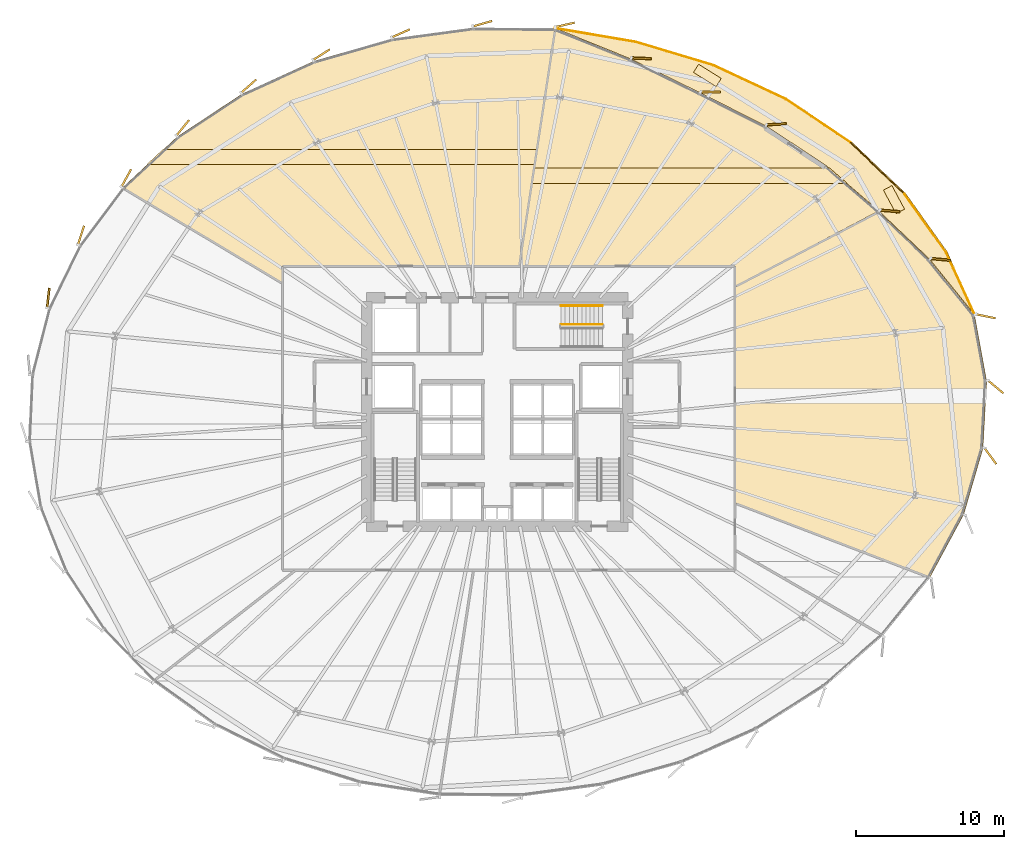
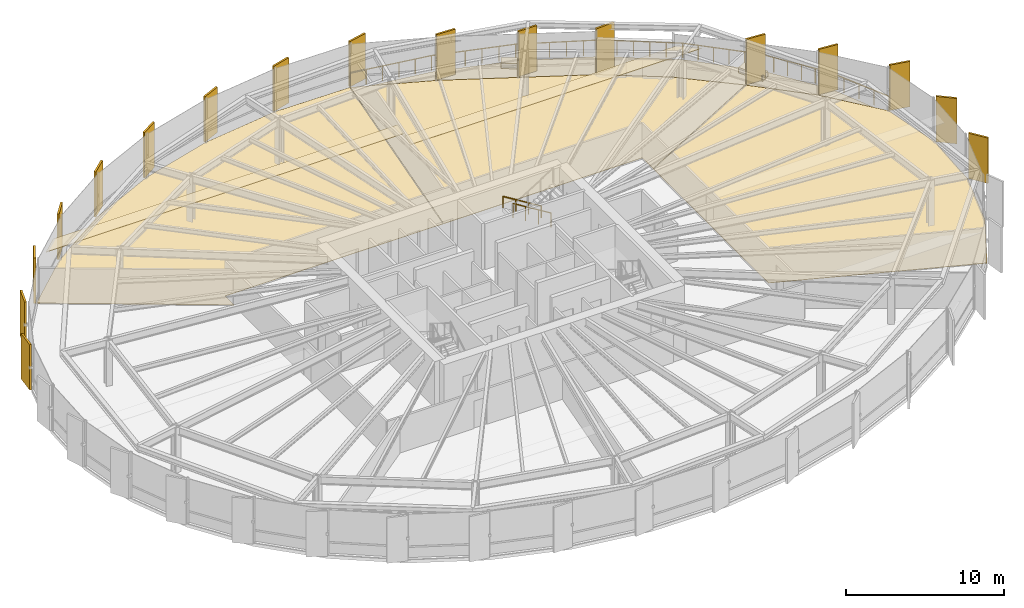
# One storey, part 39 of 39: 25 coverings, 9 railings.
"""IFC4 building model written with IfcOpenShell, lengths in metres."""

from ifc_helpers import new_model, si_unit, direction, frame, origin, origin_2d, place, context, subcontext, project, spatial, polyline, rectangle, circle, outline, extrude, source, transform, mapped, material, layer, layer_set, type_object, element, save


model = new_model("IFC4")

# Units and contexts
model_context = context("Model", 3, precision=1e-05, world=origin(), true_north=direction((0.0, 1.0)))
body_context = subcontext(model_context, "Body", "Model", "MODEL_VIEW")
ifc_project = project(units=[si_unit("LENGTHUNIT", "METRE"), si_unit("AREAUNIT", "SQUARE_METRE"), si_unit("VOLUMEUNIT", "CUBIC_METRE"), si_unit("PLANEANGLEUNIT", "RADIAN"), si_unit("MASSUNIT", "GRAM", prefix="KILO"), si_unit("THERMODYNAMICTEMPERATUREUNIT", "KELVIN")], contexts=[model_context])

# Site, building, storey
site_placement = place(None, origin())
site = spatial("IfcSite", under=ifc_project, at=site_placement, CompositionType="ELEMENT")
building_placement = place(site_placement, origin())
building = spatial("IfcBuilding", under=site, at=building_placement, Name="Kethvar Cultural Tower", CompositionType="ELEMENT")
storey_placement = place(building_placement, frame((0.0, 0.0, 44.800048828125)))
storey = spatial("IfcBuildingStorey", under=building, at=storey_placement, Name="L10", CompositionType="ELEMENT", Elevation=44.800048828125)

# Coverings
ifc_material_1 = material(Name="Acoustic Mineral Fibre Ceiling")
ifc_layer_1 = layer(ifc_material_1, 0.0400390625, Name="Acoustic Mineral Fibre Ceiling")
ifc_layer_set_1 = layer_set([ifc_layer_1], Name="Acoustic Mineral Fibre Ceiling (40 mm)")
covering_type_1 = type_object("IfcCoveringType", Name="CV-ACOUSTIC-CEIL", PredefinedType="CEILING", material=ifc_layer_set_1)
covering_1_placement = place(storey_placement, frame((0.0, 0.0, 2.449951171875)))
element("IfcCovering", 1, at=covering_1_placement, inside=storey, type_object=covering_type_1, Name="L10 Room 05 Acoustic Ceiling Panel", PredefinedType="CEILING", context=body_context, shape_type="SweptSolid", body=[
    extrude(outline(polyline([(70.408935546875, 43.20263671875), (49.102783203125, 43.20263671875), (49.258056640625, 44.232666015625), (69.213623046875, 44.232666015625), (70.408935546875, 43.20263671875)])), origin(), (0.0, 0.0, 1.0), 0.0400390625),
])
covering_2_placement = place(storey_placement, frame((0.0, 0.0, 2.449951171875)))
element("IfcCovering", 2, at=covering_2_placement, inside=storey, type_object=covering_type_1, Name="L10 Room 06 Acoustic Ceiling Panel", PredefinedType="CEILING", context=body_context, shape_type="SweptSolid", body=[
    extrude(outline(polyline([(49.335205078125, 44.476318359375), (23.1650390625, 44.476318359375), (24.271728515625, 45.506103515625), (49.490478515625, 45.506103515625), (49.335205078125, 44.476318359375)])), origin(), (0.0, 0.0, 1.0), 0.0400390625),
])
ifc_material_2 = material(Name="Insulated Waterproofing Membrane")
ifc_layer_2 = layer(ifc_material_2, 0.06005859375, Name="Insulated Waterproofing Membrane")
ifc_layer_set_2 = layer_set([ifc_layer_2], Name="Insulated Waterproofing Membrane (60 mm)")
covering_type_2 = type_object("IfcCoveringType", Name="CV-ROOF-MEMB", PredefinedType="ROOFING", material=ifc_layer_set_2)
covering_3_placement = place(storey_placement, frame((0.0, 0.0, -0.275146484375)))
element("IfcCovering", 3, at=covering_3_placement, inside=storey, type_object=covering_type_2, Name="L10 Terrace Waterproofing", PredefinedType="ROOFING", context=body_context, shape_type="SweptSolid", body=[
    extrude(outline(polyline([(78.9921875, 34.343017578125), (77.142822265625, 38.607177734375), (74.335693359375, 42.54052734375), (70.684814453125, 46.025634765625), (66.3330078125, 48.95849609375), (61.4404296875, 51.251708984375), (56.175048828125, 52.837158203125), (50.701171875, 53.66650390625), (55.81005859375, 51.59716796875), (60.47900390625, 49.315185546875), (64.9384765625, 47.06689453125), (68.983154296875, 44.405029296875), (72.534912109375, 41.343994140625), (75.95849609375, 38.089599609375), (78.9921875, 34.343017578125)])), origin(), (0.0, 0.0, 1.0), 0.06005859375),
])
ifc_material_3 = material(Name="Honed Warm Limestone", Category="masonry")
ifc_layer_3 = layer(ifc_material_3, 0.030029296875, Name="Honed Warm Limestone", Category="masonry")
ifc_layer_set_3 = layer_set([ifc_layer_3], Name="Honed Warm Limestone (30 mm)")
covering_type_3 = type_object("IfcCoveringType", Name="CV-STONE-FLOOR", PredefinedType="FLOORING", material=ifc_layer_set_3)
covering_4_placement = place(storey_placement, origin())
element("IfcCovering", 4, at=covering_4_placement, inside=storey, type_object=covering_type_3, Name="L10 Room 04 Floor Finish", PredefinedType="FLOORING", context=body_context, shape_type="SweptSolid", body=[
    extrude(outline(polyline([(78.239501953125, 20.888671875), (75.956787109375, 16.65185546875), (62.85009765625, 21.6728515625), (62.85009765625, 36.224365234375), (72.531494140625, 41.319580078125), (75.943603515625, 38.075927734375), (78.973388671875, 34.33447265625), (79.787841796875, 29.87548828125), (79.53857421875, 25.3466796875), (78.239501953125, 20.888671875)])), origin(), (0.0, 0.0, 1.0), 0.030029296875),
])
covering_5_placement = place(storey_placement, origin())
element("IfcCovering", 5, at=covering_5_placement, inside=storey, type_object=covering_type_3, Name="L10 Room 05 Floor Finish", PredefinedType="FLOORING", context=body_context, shape_type="SweptSolid", body=[
    extrude(outline(polyline([(55.802001953125, 51.578857421875), (64.928466796875, 47.0498046875), (68.970947265625, 44.388916015625), (72.49951171875, 41.34814453125), (62.85009765625, 36.26953125), (62.83203125, 37.639892578125), (48.30419921875, 37.639892578125), (50.717041015625, 53.63818359375), (55.802001953125, 51.578857421875)])), origin(), (0.0, 0.0, 1.0), 0.030029296875),
])
covering_6_placement = place(storey_placement, origin())
element("IfcCovering", 6, at=covering_6_placement, inside=storey, type_object=covering_type_3, Name="L10 Room 06 Floor Finish", PredefinedType="FLOORING", context=body_context, shape_type="SweptSolid", body=[
    extrude(outline(polyline([(25.244384765625, 46.35693359375), (29.59228515625, 49.22998046875), (34.46337890625, 51.451904296875), (39.70947265625, 52.955078125), (45.1708984375, 53.693603515625), (50.677978515625, 53.646484375), (48.263916015625, 37.639892578125), (32.327880859375, 37.639892578125), (32.31005859375, 36.50341796875), (21.56982421875, 42.93701171875), (25.244384765625, 46.35693359375)])), origin(), (0.0, 0.0, 1.0), 0.030029296875),
])

# Railings
ifc_material_4 = material(Name="Steel S355J2", Category="steel")
railing_type_1 = type_object("IfcRailingType", Name="RL-EXT-GUARD-1150", PredefinedType="BALUSTRADE", material=ifc_material_4)
railing_1_placement = place(storey_placement, frame((78.9921875, 34.343017578125, 0.0)))
element("IfcRailing", 7, at=railing_1_placement, inside=storey, type_object=railing_type_1, Name="L10 Spiralling Terrace Balustrade 01", PredefinedType="BALUSTRADE", context=body_context, shape_type="SweptSolid", body=[
    extrude(circle(Radius=0.02392578125, at=origin_2d()), frame((0.0, 0.0, 1.1259765625), z_axis=(-0.417477936448, 0.908687059762, 0.0), x_axis=(-0.908687059762, -0.417477936448, 0.0)), (0.0, 0.0, 1.0), 4.655517578125),
    extrude(circle(Radius=0.02099609375, at=origin_2d()), origin(), (0.0, 0.0, 1.0), 1.101806640625),
    extrude(circle(Radius=0.02099609375, at=origin_2d()), frame((-0.48583984375, 1.0576171875, 0.0)), (0.0, 0.0, 1.0), 1.101806640625),
    extrude(circle(Radius=0.02099609375, at=origin_2d()), frame((-0.9716796875, 2.115234375, 0.0)), (0.0, 0.0, 1.0), 1.101806640625),
    extrude(circle(Radius=0.02099609375, at=origin_2d()), frame((-1.457763671875, 3.1728515625, 0.0)), (0.0, 0.0, 1.0), 1.101806640625),
    extrude(circle(Radius=0.02099609375, at=origin_2d()), frame((-1.943603515625, 4.23046875, 0.0)), (0.0, 0.0, 1.0), 1.101806640625),
])
railing_2_placement = place(storey_placement, frame((77.048583984375, 38.573486328125, 0.0)))
element("IfcRailing", 8, at=railing_2_placement, inside=storey, type_object=railing_type_1, Name="L10 Spiralling Terrace Balustrade 02", PredefinedType="BALUSTRADE", context=body_context, shape_type="SweptSolid", body=[
    extrude(circle(Radius=0.02392578125, at=origin_2d()), frame((0.0, 0.0, 1.1259765625), z_axis=(-0.581386783126, 0.813627315425, 0.0), x_axis=(-0.813627315425, -0.581386783126, 0.0)), (0.0, 0.0, 1.0), 4.81787109375),
    extrude(circle(Radius=0.02099609375, at=origin_2d()), origin(), (0.0, 0.0, 1.0), 1.101806640625),
    extrude(circle(Radius=0.02099609375, at=origin_2d()), frame((-0.560302734375, 0.783935546875, 0.0)), (0.0, 0.0, 1.0), 1.101806640625),
    extrude(circle(Radius=0.02099609375, at=origin_2d()), frame((-1.120361328125, 1.56787109375, 0.0)), (0.0, 0.0, 1.0), 1.101806640625),
    extrude(circle(Radius=0.02099609375, at=origin_2d()), frame((-1.6806640625, 2.35205078125, 0.0)), (0.0, 0.0, 1.0), 1.101806640625),
    extrude(circle(Radius=0.02099609375, at=origin_2d()), frame((-2.24072265625, 3.135986328125, 0.0)), (0.0, 0.0, 1.0), 1.101806640625),
    extrude(circle(Radius=0.02099609375, at=origin_2d()), frame((-2.801025390625, 3.919921875, 0.0)), (0.0, 0.0, 1.0), 1.101806640625),
])
railing_3_placement = place(storey_placement, frame((74.24755859375, 42.493408203125, 0.0)))
element("IfcRailing", 9, at=railing_3_placement, inside=storey, type_object=railing_type_1, Name="L10 Spiralling Terrace Balustrade 03", PredefinedType="BALUSTRADE", context=body_context, shape_type="SweptSolid", body=[
    extrude(circle(Radius=0.02392578125, at=origin_2d()), frame((0.0, 0.0, 1.1259765625), z_axis=(-0.723862084016, 0.689944695845, 0.0), x_axis=(-0.689944695845, -0.723862084016, 0.0)), (0.0, 0.0, 1.0), 5.031494140625),
    extrude(circle(Radius=0.02099609375, at=origin_2d()), origin(), (0.0, 0.0, 1.0), 1.101806640625),
    extrude(circle(Radius=0.02099609375, at=origin_2d()), frame((-0.728515625, 0.6943359375, 0.0)), (0.0, 0.0, 1.0), 1.101806640625),
    extrude(circle(Radius=0.02099609375, at=origin_2d()), frame((-1.456787109375, 1.388671875, 0.0)), (0.0, 0.0, 1.0), 1.101806640625),
    extrude(circle(Radius=0.02099609375, at=origin_2d()), frame((-2.185302734375, 2.082763671875, 0.0)), (0.0, 0.0, 1.0), 1.101806640625),
    extrude(circle(Radius=0.02099609375, at=origin_2d()), frame((-2.91357421875, 2.777099609375, 0.0)), (0.0, 0.0, 1.0), 1.101806640625),
    extrude(circle(Radius=0.02099609375, at=origin_2d()), frame((-3.64208984375, 3.471435546875, 0.0)), (0.0, 0.0, 1.0), 1.101806640625),
])
railing_4_placement = place(storey_placement, frame((70.60546875, 45.96484375, 0.0)))
element("IfcRailing", 10, at=railing_4_placement, inside=storey, type_object=railing_type_1, Name="L10 Spiralling Terrace Balustrade 04", PredefinedType="BALUSTRADE", context=body_context, shape_type="SweptSolid", body=[
    extrude(circle(Radius=0.02392578125, at=origin_2d()), frame((0.0, 0.0, 1.1259765625), z_axis=(-0.829694993177, 0.558216999291, 0.0), x_axis=(-0.558216999291, -0.829694993177, 0.0)), (0.0, 0.0, 1.0), 5.231201171875),
    extrude(circle(Radius=0.02099609375, at=origin_2d()), origin(), (0.0, 0.0, 1.0), 1.101806640625),
    extrude(circle(Radius=0.02099609375, at=origin_2d()), frame((-0.8681640625, 0.583984375, 0.0)), (0.0, 0.0, 1.0), 1.101806640625),
    extrude(circle(Radius=0.02099609375, at=origin_2d()), frame((-1.736083984375, 1.16796875, 0.0)), (0.0, 0.0, 1.0), 1.101806640625),
    extrude(circle(Radius=0.02099609375, at=origin_2d()), frame((-2.604248046875, 1.752197265625, 0.0)), (0.0, 0.0, 1.0), 1.101806640625),
    extrude(circle(Radius=0.02099609375, at=origin_2d()), frame((-3.47216796875, 2.336181640625, 0.0)), (0.0, 0.0, 1.0), 1.101806640625),
    extrude(circle(Radius=0.02099609375, at=origin_2d()), frame((-4.34033203125, 2.920166015625, 0.0)), (0.0, 0.0, 1.0), 1.101806640625),
])
railing_5_placement = place(storey_placement, frame((66.26513671875, 48.885009765625, 0.0)))
element("IfcRailing", 11, at=railing_5_placement, inside=storey, type_object=railing_type_1, Name="L10 Spiralling Terrace Balustrade 05", PredefinedType="BALUSTRADE", context=body_context, shape_type="SweptSolid", body=[
    extrude(circle(Radius=0.02392578125, at=origin_2d()), frame((0.0, 0.0, 1.1259765625), z_axis=(-0.905775022601, 0.423758903661, 0.0), x_axis=(-0.423758903661, -0.905775022601, 0.0)), (0.0, 0.0, 1.0), 5.385009765625),
    extrude(circle(Radius=0.02099609375, at=origin_2d()), origin(), (0.0, 0.0, 1.0), 1.101806640625),
    extrude(circle(Radius=0.02099609375, at=origin_2d()), frame((-0.9755859375, 0.456298828125, 0.0)), (0.0, 0.0, 1.0), 1.101806640625),
    extrude(circle(Radius=0.02099609375, at=origin_2d()), frame((-1.951171875, 0.912841796875, 0.0)), (0.0, 0.0, 1.0), 1.101806640625),
    extrude(circle(Radius=0.02099609375, at=origin_2d()), frame((-2.926513671875, 1.369140625, 0.0)), (0.0, 0.0, 1.0), 1.101806640625),
    extrude(circle(Radius=0.02099609375, at=origin_2d()), frame((-3.902099609375, 1.82568359375, 0.0)), (0.0, 0.0, 1.0), 1.101806640625),
    extrude(circle(Radius=0.02099609375, at=origin_2d()), frame((-4.877685546875, 2.281982421875, 0.0)), (0.0, 0.0, 1.0), 1.101806640625),
])
railing_6_placement = place(storey_placement, frame((61.387451171875, 51.1669921875, 0.0)))
element("IfcRailing", 12, at=railing_6_placement, inside=storey, type_object=railing_type_1, Name="L10 Spiralling Terrace Balustrade 06", PredefinedType="BALUSTRADE", context=body_context, shape_type="SweptSolid", body=[
    extrude(circle(Radius=0.02392578125, at=origin_2d()), frame((0.0, 0.0, 1.1259765625), z_axis=(-0.957718298655, 0.287707595348, 0.0), x_axis=(-0.287707595348, -0.957718298655, 0.0)), (0.0, 0.0, 1.0), 5.479248046875),
    extrude(circle(Radius=0.02099609375, at=origin_2d()), origin(), (0.0, 0.0, 1.0), 1.101806640625),
    extrude(circle(Radius=0.02099609375, at=origin_2d()), frame((-1.049560546875, 0.315185546875, 0.0)), (0.0, 0.0, 1.0), 1.101806640625),
    extrude(circle(Radius=0.02099609375, at=origin_2d()), frame((-2.09912109375, 0.630615234375, 0.0)), (0.0, 0.0, 1.0), 1.101806640625),
    extrude(circle(Radius=0.02099609375, at=origin_2d()), frame((-3.1484375, 0.94580078125, 0.0)), (0.0, 0.0, 1.0), 1.101806640625),
    extrude(circle(Radius=0.02099609375, at=origin_2d()), frame((-4.197998046875, 1.26123046875, 0.0)), (0.0, 0.0, 1.0), 1.101806640625),
    extrude(circle(Radius=0.02099609375, at=origin_2d()), frame((-5.24755859375, 1.576416015625, 0.0)), (0.0, 0.0, 1.0), 1.101806640625),
])
railing_7_placement = place(storey_placement, frame((56.139892578125, 52.743408203125, 0.0)))
element("IfcRailing", 13, at=railing_7_placement, inside=storey, type_object=railing_type_1, Name="L10 Spiralling Terrace Balustrade 07", PredefinedType="BALUSTRADE", context=body_context, shape_type="SweptSolid", body=[
    extrude(circle(Radius=0.02392578125, at=origin_2d()), frame((0.0, 0.0, 1.1259765625), z_axis=(-0.985900343577, 0.16733353679, 0.0), x_axis=(-0.16733353679, -0.985900343577, 0.0)), (0.0, 0.0, 1.0), 5.5166015625),
    extrude(circle(Radius=0.02099609375, at=origin_2d()), origin(), (0.0, 0.0, 1.0), 1.101806640625),
    extrude(circle(Radius=0.02099609375, at=origin_2d()), frame((-1.087646484375, 0.1845703125, 0.0)), (0.0, 0.0, 1.0), 1.101806640625),
    extrude(circle(Radius=0.02099609375, at=origin_2d()), frame((-2.175537109375, 0.369140625, 0.0)), (0.0, 0.0, 1.0), 1.101806640625),
    extrude(circle(Radius=0.02099609375, at=origin_2d()), frame((-3.26318359375, 0.553955078125, 0.0)), (0.0, 0.0, 1.0), 1.101806640625),
    extrude(circle(Radius=0.02099609375, at=origin_2d()), frame((-4.35107421875, 0.738525390625, 0.0)), (0.0, 0.0, 1.0), 1.101806640625),
    extrude(circle(Radius=0.02099609375, at=origin_2d()), frame((-5.438720703125, 0.923095703125, 0.0)), (0.0, 0.0, 1.0), 1.101806640625),
])
railing_type_2 = type_object("IfcRailingType", Name="RL-STAIR-GUARD", PredefinedType="BALUSTRADE", material=ifc_material_4)
railing_8_placement = place(storey_placement, frame((53.89990234375, 33.7099609375, 0.172607421875)))
element("IfcRailing", 14, at=railing_8_placement, inside=storey, type_object=railing_type_2, Name="L10 ST-03 stair guard 1", PredefinedType="BALUSTRADE", context=body_context, shape_type="SweptSolid", body=[
    extrude(circle(Radius=0.02392578125, at=origin_2d()), frame((0.0, 0.0, 1.09619140625), z_axis=(-0.851069175582, 0.0, 0.525053576669), x_axis=(0.0, -1.0, 0.0)), (0.0, 0.0, 1.0), 3.289794921875),
    extrude(circle(Radius=0.02099609375, at=origin_2d()), origin(), (0.0, 0.0, 1.0), 1.072021484375),
    extrude(circle(Radius=0.02099609375, at=origin_2d()), frame((-0.933349609375, 0.0, 0.57568359375)), (0.0, 0.0, 1.0), 1.072021484375),
    extrude(circle(Radius=0.02099609375, at=origin_2d()), frame((-1.866455078125, 0.0, 1.151611328125)), (0.0, 0.0, 1.0), 1.072021484375),
    extrude(circle(Radius=0.02099609375, at=origin_2d()), frame((-2.7998046875, 0.0, 1.727294921875)), (0.0, 0.0, 1.0), 1.072021484375),
])
railing_type_3 = type_object("IfcRailingType", Name="RL-STAIR-HANDRAIL", PredefinedType="HANDRAIL", material=ifc_material_4)
railing_9_placement = place(storey_placement, frame((53.89990234375, 34.9599609375, 0.172607421875)))
element("IfcRailing", 15, at=railing_9_placement, inside=storey, type_object=railing_type_3, Name="L10 ST-03 stair handrail 1", PredefinedType="HANDRAIL", context=body_context, shape_type="SweptSolid", body=[
    extrude(circle(Radius=0.02392578125, at=origin_2d()), frame((0.0, 0.0, 0.8759765625), z_axis=(-0.851069175582, 0.0, 0.525053576669), x_axis=(0.0, -1.0, 0.0)), (0.0, 0.0, 1.0), 3.289794921875),
    extrude(circle(Radius=0.02099609375, at=origin_2d()), origin(), (0.0, 0.0, 1.0), 0.851806640625),
    extrude(circle(Radius=0.02099609375, at=origin_2d()), frame((-0.933349609375, 0.0, 0.57568359375)), (0.0, 0.0, 1.0), 0.851806640625),
    extrude(circle(Radius=0.02099609375, at=origin_2d()), frame((-1.866455078125, 0.0, 1.151611328125)), (0.0, 0.0, 1.0), 0.851806640625),
    extrude(circle(Radius=0.02099609375, at=origin_2d()), frame((-2.7998046875, 0.0, 1.727294921875)), (0.0, 0.0, 1.0), 0.851806640625),
])

# Coverings
ifc_material_5 = material(Name="Extruded Architectural Terracotta", Category="masonry")
ifc_layer_4 = layer(ifc_material_5, 0.135009765625, Name="Extruded Architectural Terracotta", Category="masonry")
ifc_layer_set_4 = layer_set([ifc_layer_4], Name="Extruded Architectural Terracotta (135 mm)")
covering_type_4 = type_object("IfcCoveringType", Name="Terracotta Facade Fin FIN-01", PredefinedType="CLADDING", material=ifc_layer_set_4)
shared_shape_1 = source(origin(), body_context, "Body", "SweptSolid", [
    extrude(rectangle(XDim=1.35009765625, YDim=0.135009765625, at=origin_2d()), origin(), (0.0, 0.0, 1.0), 3.510009765625),
])
for number, where, z_axis, x_axis, name in (
    (16, (80.396484375, 29.498779296875, 0.02001953125), (0.0, 0.0, 1.0), (0.766268771648, -0.642520170576, 0.0), "L10 Vertical Terracotta Fin 1.1"),
    (17, (79.71533203125, 34.2568359375, 0.02001953125), (0.0, 0.0, 1.0), (0.979328855567, -0.202274547718, 0.0), "L10 Vertical Terracotta Fin 1.2"),
    (18, (76.685791015625, 38.0859375, 0.02001953125), (0.0, 0.0, 1.0), (0.995820882453, -0.091327816524, 0.0), "L10 Vertical Terracotta Fin 1.3"),
    (19, (73.26025390625, 41.35498046875, 0.02001953125), (0.0, 0.0, 1.0), (0.997275993086, -0.073760379704, 0.0), "L10 Vertical Terracotta Fin 1.4"),
    (20, (65.610595703125, 47.196044921875, 0.02001953125), (0.0, 0.0, 1.0), (0.998361849427, 0.057215536424, 0.0), "L10 Vertical Terracotta Fin 2.1"),
    (21, (61.189208984375, 49.37744140625, 0.02001953125), (0.0, 0.0, 1.0), (0.999897589372, -0.014311211306, 0.0), "L10 Vertical Terracotta Fin 2.2"),
    (22, (56.514404296875, 51.640380859375, 0.02001953125), (0.0, 0.0, 1.0), (0.99894668085, -0.045886041654, 0.0), "L10 Vertical Terracotta Fin 2.3"),
    (23, (51.360107421875, 53.896240234375, 0.02001953125), (0.0, 0.0, 1.0), (0.975071959883, 0.221888875454, 0.0), "L10 Vertical Terracotta Fin 2.4"),
    (24, (45.80859375, 53.975830078125, 0.02001953125), (0.0, 0.0, 1.0), (0.962644503077, 0.27076846326, 0.0), "L10 Vertical Terracotta Fin 2.5"),
    (25, (40.300048828125, 53.325927734375, 0.02001953125), (0.0, 0.0, 1.0), (0.913616432664, 0.406577193121, 0.0), "L10 Vertical Terracotta Fin 2.6"),
    (26, (34.9541015625, 51.888916015625, 0.02001953125), (0.0, 0.0, 1.0), (0.84320384149, 0.537593974759, 0.0), "L10 Vertical Terracotta Fin 3.1"),
    (27, (30.04443359375, 49.76123046875, 0.02001953125), (0.0, 0.0, 1.0), (0.749418134297, 0.662097017051, 0.0), "L10 Vertical Terracotta Fin 3.2"),
    (28, (25.60302734375, 46.955322265625, 0.02001953125), (0.0, 0.0, 1.0), (0.630133871185, 0.776486512687, 0.0), "L10 Vertical Terracotta Fin 3.3"),
    (29, (21.799072265625, 43.572509765625, 0.02001953125), (0.0, 0.0, 1.0), (0.483282383255, 0.875464527, 0.0), "L10 Vertical Terracotta Fin 3.4"),
    (30, (18.74609375, 39.71142578125, 0.02001953125), (0.0, 0.0, 1.0), (0.30951492402, 0.950894585014, 0.0), "L10 Vertical Terracotta Fin 3.5"),
    (31, (16.537109375, 35.48486328125, 0.02001953125), (0.0, 0.0, 1.0), (0.113203213768, 0.993571855677, 0.0), "L10 Vertical Terracotta Fin 3.6"),
    (32, (80.0390625, 24.836181640625, 0.02001953125), (0.0, 0.0, 1.0), (0.590323949356, -0.807166423246, 0.0), "L10 Vertical Terracotta Fin 7.1"),
):
    element("IfcCovering", number, at=place(storey_placement, frame(where, z_axis=z_axis, x_axis=x_axis)), inside=storey, type_object=covering_type_4, Name=name, PredefinedType="CLADDING", context=body_context, shape_type="MappedRepresentation", body=[
        mapped(shared_shape_1, transform((0.0, 0.0, 0.0), scale=1.0)),
    ])
ifc_layer_5 = layer(ifc_material_5, 0.419921875, Name="Extruded Architectural Terracotta", Category="masonry")
ifc_layer_set_5 = layer_set([ifc_layer_5], Name="Extruded Architectural Terracotta (420 mm)")
covering_type_5 = type_object("IfcCoveringType", Name="Terracotta Terrace Planter PLANTER-01", PredefinedType="USERDEFINED", material=ifc_layer_set_5)
shared_shape_2 = source(origin(), body_context, "Body", "SweptSolid", [
    extrude(rectangle(XDim=1.800048828125, YDim=0.64990234375, at=origin_2d()), origin(), (0.0, 0.0, 1.0), 0.419921875),
])
for number, where, z_axis, x_axis, name in (
    (33, (73.542236328125, 42.11572265625, 0.0), (0.0, 0.0, 1.0), (-0.471935383883, 0.881633139939, 0.0), "L10 Sky Terrace Planter Box A"),
    (34, (60.9638671875, 50.48828125, 0.0), (0.0, 0.0, 1.0), (-0.848233021205, 0.529623207325, 0.0), "L10 Sky Terrace Planter Box B"),
):
    element("IfcCovering", number, at=place(storey_placement, frame(where, z_axis=z_axis, x_axis=x_axis)), inside=storey, type_object=covering_type_5, Name=name, ObjectType="PLANTER", PredefinedType="USERDEFINED", context=body_context, shape_type="MappedRepresentation", body=[
        mapped(shared_shape_2, transform((0.0, 0.0, 0.0), scale=1.0)),
    ])

save(model, "model.ifc")
